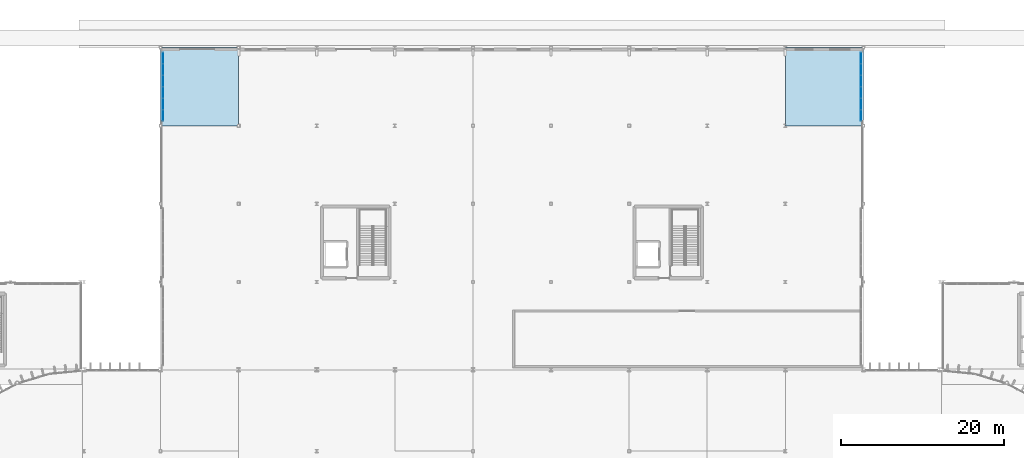
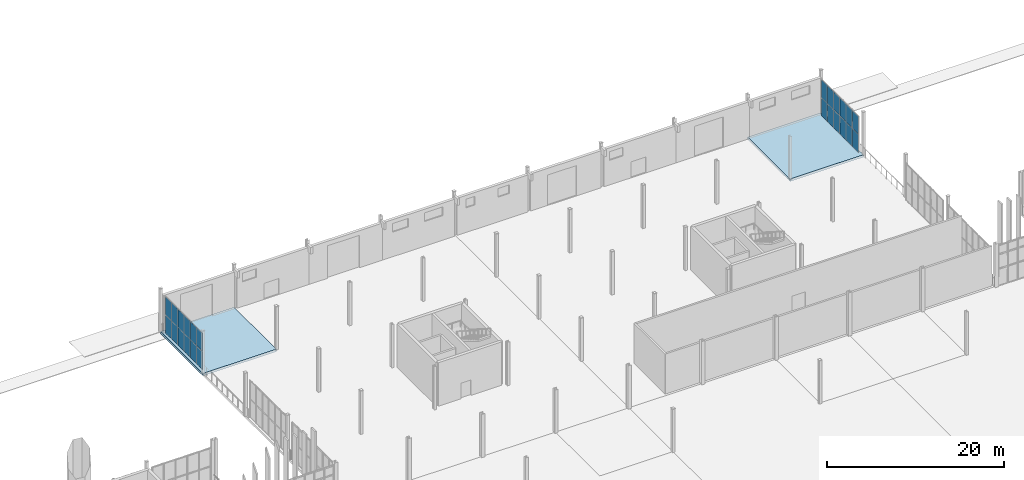
# One storey, part 88 of 139: 24 plates, 2 slabs, 2 elements without a shape of their own.
"""IFC4 building model written with IfcOpenShell, lengths in metres."""

import ifcopenshell
import ifcopenshell.guid

model = None  # the IFC model being written
_history = None  # IfcOwnerHistory: only IFC2X3 demands one
_inside = {}  # id of a spatial element -> (the spatial element, [elements in it])
_under = {}  # id of a project, library or spatial element -> (it, [spatial elements below it])
_declared = {}  # id of a project -> (the project, [libraries it declares])
_typed = {}  # id of a type object -> (the type object, [elements of that type])
_made_of = {}  # id of a material, layer set ... -> (it, [elements and type objects made of it])


def new_model(schema):
    """Start an empty IFC model of exactly this schema.

    Asked for "IFC4X3", IfcOpenShell would pick the latest addendum, in which some entities
    have other attributes; the version numbers below select the first issue.
    IFC2X3 requires an IfcOwnerHistory on every rooted entity: one is made here for all.
    """
    global model, _history
    if schema == "IFC4X3":
        model = ifcopenshell.file(schema_version=(4, 3, 0, 0))
    else:
        model = ifcopenshell.file(schema=schema)
    _inside.clear()
    _under.clear()
    _declared.clear()
    _typed.clear()
    _made_of.clear()
    _history = None
    if model.schema == "IFC2X3":
        org = make("IfcOrganization", Name="unknown")
        user = make(
            "IfcPersonAndOrganization",
            ThePerson=make("IfcPerson", FamilyName="unknown"),
            TheOrganization=org,
        )
        app = make(
            "IfcApplication",
            ApplicationDeveloper=org,
            Version="unknown",
            ApplicationFullName="unknown",
            ApplicationIdentifier="unknown",
        )
        _history = make(
            "IfcOwnerHistory",
            OwningUser=user,
            OwningApplication=app,
            ChangeAction="ADDED",
            CreationDate=0,
        )
    return model


def make(cls, **values):
    """One entity of the class cls with the attributes given. An attribute that is None is left unset."""
    return model.create_entity(
        cls, **{name: value for name, value in values.items() if value is not None}
    )


def rooted(cls, **values):
    """An entity with a GlobalId (a new one), such as an element, a storey or a relation."""
    return make(cls, GlobalId=ifcopenshell.guid.new(), OwnerHistory=_history, **values)


def si_unit(unit_type, name, prefix=None):
    """IfcSIUnit, for example si_unit("LENGTHUNIT", "METRE", prefix="MILLI")."""
    return make("IfcSIUnit", UnitType=unit_type, Prefix=prefix, Name=name)


def assignment(units):
    """IfcUnitAssignment: the units of a project."""
    return None if units is None else make("IfcUnitAssignment", Units=units)


def point(xyz):
    """IfcCartesianPoint."""
    return None if xyz is None else make("IfcCartesianPoint", Coordinates=xyz)


def direction(xyz):
    """IfcDirection."""
    return None if xyz is None else make("IfcDirection", DirectionRatios=xyz)


def frame(location, z_axis=None, x_axis=None):
    """IfcAxis2Placement3D, a coordinate frame: its origin and axes. An axis left out is left unset."""
    return make(
        "IfcAxis2Placement3D",
        Location=point(location),
        Axis=direction(z_axis),
        RefDirection=direction(x_axis),
    )


def frame_2d(location, x_axis=None):
    """IfcAxis2Placement2D, a coordinate frame in the plane: its origin and x axis."""
    return make(
        "IfcAxis2Placement2D", Location=point(location), RefDirection=direction(x_axis)
    )


def origin():
    """The frame at (0, 0, 0) with its axes left unset."""
    return frame((0.0, 0.0, 0.0))


def origin_2d():
    """The frame at (0, 0) in the plane with its x axis left unset."""
    return frame_2d((0.0, 0.0))


def place(relative_to, where):
    """IfcLocalPlacement: puts the frame where relative to a parent placement (None: the world)."""
    return make(
        "IfcLocalPlacement", PlacementRelTo=relative_to, RelativePlacement=where
    )


def context(
    kind, dimensions, precision=None, world=None, true_north=None, identifier=None
):
    """IfcGeometricRepresentationContext, for example the 3D "Model" context."""
    return make(
        "IfcGeometricRepresentationContext",
        ContextIdentifier=identifier,
        ContextType=kind,
        CoordinateSpaceDimension=dimensions,
        Precision=precision,
        WorldCoordinateSystem=world,
        TrueNorth=true_north,
    )


def subcontext(parent, identifier, kind, view, scale=None):
    """IfcGeometricRepresentationSubContext, for example "Body" below "Model"."""
    return make(
        "IfcGeometricRepresentationSubContext",
        ContextIdentifier=identifier,
        ContextType=kind,
        ParentContext=parent,
        TargetScale=scale,
        TargetView=view,
    )


def project(units=None, contexts=None):
    """IfcProject with its units and contexts."""
    return rooted(
        "IfcProject",
        Name="project",
        RepresentationContexts=contexts,
        UnitsInContext=assignment(units),
    )


def spatial(cls, under=None, at=None, **own):
    """A site, building, storey or space (cls), placed at a placement, below another one or the project."""
    s = rooted(cls, ObjectPlacement=at, **own)
    if under is not None:
        _under.setdefault(under.id(), (under, []))[1].append(s)
    return s


def polyline(points):
    """IfcPolyline through the points."""
    return make("IfcPolyline", Points=[point(p) for p in points])


def profile(cls, at=None, kind="AREA", **sizes):
    """A parametric profile (cls). Its sizes go by their IFC names, for example OverallWidth=200.0."""
    return make(cls, ProfileType=kind, Position=at, **sizes)


def rectangle(**sizes):
    """IfcRectangleProfileDef."""
    return profile("IfcRectangleProfileDef", **sizes)


def outline(outer, holes=None, kind="AREA"):
    """IfcArbitraryClosedProfileDef: a profile drawn as a closed curve; with holes, ...WithVoids."""
    if holes is None:
        return make("IfcArbitraryClosedProfileDef", ProfileType=kind, OuterCurve=outer)
    return make(
        "IfcArbitraryProfileDefWithVoids",
        ProfileType=kind,
        OuterCurve=outer,
        InnerCurves=holes,
    )


def extrude(swept, where, along, depth):
    """IfcExtrudedAreaSolid: the profile swept, set in the frame where, extruded along a direction by depth."""
    return make(
        "IfcExtrudedAreaSolid",
        SweptArea=swept,
        Position=where,
        ExtrudedDirection=direction(along),
        Depth=depth,
    )


def shape(context_of_items, identifier, shape_type, items):
    """IfcShapeRepresentation: the items that make up one representation, for example the "Body"."""
    return make(
        "IfcShapeRepresentation",
        ContextOfItems=context_of_items,
        RepresentationIdentifier=identifier,
        RepresentationType=shape_type,
        Items=items,
    )


def material(Name=None, Category=None):
    """IfcMaterial."""
    return make("IfcMaterial", Name=Name, Category=Category)


def layer(
    of_material, thickness, ventilated=None, Name=None, Category=None, Priority=None
):
    """IfcMaterialLayer: one layer of a wall or slab, of a material (None: an air gap)."""
    return make(
        "IfcMaterialLayer",
        Material=of_material,
        LayerThickness=thickness,
        IsVentilated=ventilated,
        Name=Name,
        Category=Category,
        Priority=Priority,
    )


def layer_set(layers, Name=None):
    """IfcMaterialLayerSet."""
    return make("IfcMaterialLayerSet", MaterialLayers=layers, LayerSetName=Name)


def made_of(thing, what):
    """Note that an element or type object is made of a material, layer set ...; save() writes the relation."""
    if what is not None:
        _made_of.setdefault(what.id(), (what, []))[1].append(thing)
    return thing


def type_object(cls, material=None, **own):
    """A type object (cls), such as IfcWallType, which elements share."""
    return made_of(rooted(cls, **own), material)


def element(
    cls,
    number,
    at=None,
    inside=None,
    cuts=None,
    type_object=None,
    material=None,
    context=None,
    identifier="Body",
    shape_type=None,
    held_by="IfcProductDefinitionShape",
    body=None,
    shapes=None,
    **own,
):
    """One element of the class cls, such as IfcWall. Its Tag is "e" and its number.

    at: its placement. inside: the storey or other place that contains it. cuts: it is an
    opening in that element (IfcRelVoidsElement). A single representation is given by context,
    identifier, shape_type and body (its items); several are given by shapes. held_by: the class
    of the entity that holds the representations. save() writes the other relations.
    """
    e = rooted(cls, Tag="e%d" % number, ObjectPlacement=at, **own)
    if body is not None:
        shapes = [shape(context, identifier, shape_type, body)]
    if shapes is not None:
        e.Representation = make(held_by, Representations=shapes)
    if inside is not None:
        _inside.setdefault(inside.id(), (inside, []))[1].append(e)
    if cuts is not None:
        rooted(
            "IfcRelVoidsElement", RelatingBuildingElement=cuts, RelatedOpeningElement=e
        )
    if type_object is not None:
        _typed.setdefault(type_object.id(), (type_object, []))[1].append(e)
    return made_of(e, material)


def aggregate(whole, parts):
    """IfcRelAggregates: a whole, such as a stair, and the parts it consists of."""
    return rooted("IfcRelAggregates", RelatingObject=whole, RelatedObjects=parts)


def save(model, path):
    """Write the relations noted so far, then the file.

    IfcRelAggregates (storeys below a building ...), IfcRelContainedInSpatialStructure (elements
    in a storey), IfcRelDefinesByType, IfcRelAssociatesMaterial and IfcRelDeclares: one each for
    every whole, place, type object, material and project.
    """
    for whole, parts in _under.values():
        aggregate(whole, parts)
    for where, things in _inside.values():
        rooted(
            "IfcRelContainedInSpatialStructure",
            RelatedElements=things,
            RelatingStructure=where,
        )
    for kind, things in _typed.values():
        rooted("IfcRelDefinesByType", RelatedObjects=things, RelatingType=kind)
    for what, things in _made_of.values():
        rooted("IfcRelAssociatesMaterial", RelatedObjects=things, RelatingMaterial=what)
    for by, libraries in _declared.values():
        rooted("IfcRelDeclares", RelatingContext=by, RelatedDefinitions=libraries)
    model.write(path)


model = new_model("IFC4")

# Units and contexts
model_context = context("Model", 3, precision=1e-05, world=origin(), true_north=direction((0.0, 1.0)))
body_context = subcontext(model_context, "Body", "Model", "MODEL_VIEW")
ifc_project = project(units=[si_unit("LENGTHUNIT", "METRE"), si_unit("AREAUNIT", "SQUARE_METRE"), si_unit("VOLUMEUNIT", "CUBIC_METRE"), si_unit("PLANEANGLEUNIT", "RADIAN"), si_unit("MASSUNIT", "GRAM", prefix="KILO")], contexts=[model_context])

# Site, building, storey
site_placement = place(None, origin())
site = spatial("IfcSite", under=ifc_project, at=site_placement, CompositionType="ELEMENT")
building_placement = place(site_placement, origin())
building = spatial("IfcBuilding", under=site, at=building_placement, Name="Yeouljin Market Hall", CompositionType="ELEMENT")
storey_placement = place(building_placement, origin())
storey = spatial("IfcBuildingStorey", under=building, at=storey_placement, Name="L00", CompositionType="ELEMENT", Elevation=0.0)

# Curtain wall, plates
ifc_material_1 = material(Name="Thermally Broken Aluminium", Category="aluminium")
ifc_layer_1 = layer(ifc_material_1, 0.14990234375)
ifc_layer_set_1 = layer_set([ifc_layer_1], Name="Thermally Broken Aluminium")
curtain_wall_type = type_object("IfcCurtainWallType", Name="CW_WingStorefront_System", PredefinedType="USERDEFINED", material=ifc_layer_set_1)
curtain_wall_1_placement = place(storey_placement, origin())
curtain_wall_1 = element("IfcCurtainWall", 1, at=curtain_wall_1_placement, inside=storey, type_object=curtain_wall_type, Name="Curtain wall CW-CRT-L00-17", ObjectType="CURTAIN WALL", PredefinedType="USERDEFINED")
ifc_material_2 = material(Name="Low-E Insulated Glass", Category="glass")
ifc_layer_2 = layer(ifc_material_2, 0.028076171875)
ifc_layer_set_2 = layer_set([ifc_layer_2], Name="Low-E Insulated Glass")
plate_type = type_object("IfcPlateType", Name="CWPanel_LowE_28", PredefinedType="CURTAIN_PANEL", material=ifc_layer_set_2)
plate_1_placement = place(storey_placement, frame((45.300048828125, 109.270263671875, 0.0478515625), z_axis=(0.0, 0.0, 1.0), x_axis=(0.0, 1.0, 0.0)))
plate_1 = element("IfcPlate", 2, at=plate_1_placement, type_object=plate_type, Name="CW-04 panel 1.1", PredefinedType="CURTAIN_PANEL", context=body_context, shape_type="SweptSolid", body=[
    extrude(rectangle(XDim=1.3447265625, YDim=0.028076171875, at=origin_2d()), origin(), (0.0, 0.0, 1.0), 2.488037109375),
])
plate_2_placement = place(storey_placement, frame((45.300048828125, 109.270263671875, 2.583984375), z_axis=(0.0, 0.0, 1.0), x_axis=(0.0, 1.0, 0.0)))
plate_2 = element("IfcPlate", 3, at=plate_2_placement, type_object=plate_type, Name="CW-04 panel 1.2", PredefinedType="CURTAIN_PANEL", context=body_context, shape_type="SweptSolid", body=[
    extrude(rectangle(XDim=1.3447265625, YDim=0.028076171875, at=origin_2d()), origin(), (0.0, 0.0, 1.0), 2.488037109375),
])
plate_3_placement = place(storey_placement, frame((45.300048828125, 110.675048828125, 0.0478515625), z_axis=(0.0, 0.0, 1.0), x_axis=(0.0, 1.0, 0.0)))
plate_3 = element("IfcPlate", 4, at=plate_3_placement, type_object=plate_type, Name="CW-04 panel 2.1", PredefinedType="CURTAIN_PANEL", context=body_context, shape_type="SweptSolid", body=[
    extrude(rectangle(XDim=1.36865234375, YDim=0.028076171875, at=origin_2d()), origin(), (0.0, 0.0, 1.0), 2.488037109375),
])
plate_4_placement = place(storey_placement, frame((45.300048828125, 110.675048828125, 2.583984375), z_axis=(0.0, 0.0, 1.0), x_axis=(0.0, 1.0, 0.0)))
plate_4 = element("IfcPlate", 5, at=plate_4_placement, type_object=plate_type, Name="CW-04 panel 2.2", PredefinedType="CURTAIN_PANEL", context=body_context, shape_type="SweptSolid", body=[
    extrude(rectangle(XDim=1.36865234375, YDim=0.028076171875, at=origin_2d()), origin(), (0.0, 0.0, 1.0), 2.488037109375),
])
plate_5_placement = place(storey_placement, frame((45.300048828125, 112.091552734375, 0.0478515625), z_axis=(0.0, 0.0, 1.0), x_axis=(0.0, 1.0, 0.0)))
plate_5 = element("IfcPlate", 6, at=plate_5_placement, type_object=plate_type, Name="CW-04 panel 3.1", PredefinedType="CURTAIN_PANEL", context=body_context, shape_type="SweptSolid", body=[
    extrude(rectangle(XDim=1.36865234375, YDim=0.028076171875, at=origin_2d()), origin(), (0.0, 0.0, 1.0), 2.488037109375),
])
plate_6_placement = place(storey_placement, frame((45.300048828125, 112.091552734375, 2.583984375), z_axis=(0.0, 0.0, 1.0), x_axis=(0.0, 1.0, 0.0)))
plate_6 = element("IfcPlate", 7, at=plate_6_placement, type_object=plate_type, Name="CW-04 panel 3.2", PredefinedType="CURTAIN_PANEL", context=body_context, shape_type="SweptSolid", body=[
    extrude(rectangle(XDim=1.36865234375, YDim=0.028076171875, at=origin_2d()), origin(), (0.0, 0.0, 1.0), 2.488037109375),
])
plate_7_placement = place(storey_placement, frame((45.300048828125, 113.50830078125, 0.0478515625), z_axis=(0.0, 0.0, 1.0), x_axis=(0.0, 1.0, 0.0)))
plate_7 = element("IfcPlate", 8, at=plate_7_placement, type_object=plate_type, Name="CW-04 panel 4.1", PredefinedType="CURTAIN_PANEL", context=body_context, shape_type="SweptSolid", body=[
    extrude(rectangle(XDim=1.36865234375, YDim=0.028076171875, at=origin_2d()), origin(), (0.0, 0.0, 1.0), 2.488037109375),
])
plate_8_placement = place(storey_placement, frame((45.300048828125, 113.50830078125, 2.583984375), z_axis=(0.0, 0.0, 1.0), x_axis=(0.0, 1.0, 0.0)))
plate_8 = element("IfcPlate", 9, at=plate_8_placement, type_object=plate_type, Name="CW-04 panel 4.2", PredefinedType="CURTAIN_PANEL", context=body_context, shape_type="SweptSolid", body=[
    extrude(rectangle(XDim=1.36865234375, YDim=0.028076171875, at=origin_2d()), origin(), (0.0, 0.0, 1.0), 2.488037109375),
])
plate_9_placement = place(storey_placement, frame((45.300048828125, 114.925048828125, 0.0478515625), z_axis=(0.0, 0.0, 1.0), x_axis=(0.0, 1.0, 0.0)))
plate_9 = element("IfcPlate", 10, at=plate_9_placement, type_object=plate_type, Name="CW-04 panel 5.1", PredefinedType="CURTAIN_PANEL", context=body_context, shape_type="SweptSolid", body=[
    extrude(rectangle(XDim=1.36865234375, YDim=0.028076171875, at=origin_2d()), origin(), (0.0, 0.0, 1.0), 2.488037109375),
])
plate_10_placement = place(storey_placement, frame((45.300048828125, 114.925048828125, 2.583984375), z_axis=(0.0, 0.0, 1.0), x_axis=(0.0, 1.0, 0.0)))
plate_10 = element("IfcPlate", 11, at=plate_10_placement, type_object=plate_type, Name="CW-04 panel 5.2", PredefinedType="CURTAIN_PANEL", context=body_context, shape_type="SweptSolid", body=[
    extrude(rectangle(XDim=1.36865234375, YDim=0.028076171875, at=origin_2d()), origin(), (0.0, 0.0, 1.0), 2.488037109375),
])
plate_11_placement = place(storey_placement, frame((45.300048828125, 116.32958984375, 0.0478515625), z_axis=(0.0, 0.0, 1.0), x_axis=(0.0, 1.0, 0.0)))
plate_11 = element("IfcPlate", 12, at=plate_11_placement, type_object=plate_type, Name="CW-04 panel 6.1", PredefinedType="CURTAIN_PANEL", context=body_context, shape_type="SweptSolid", body=[
    extrude(rectangle(XDim=1.3447265625, YDim=0.028076171875, at=origin_2d()), origin(), (0.0, 0.0, 1.0), 2.488037109375),
])
plate_12_placement = place(storey_placement, frame((45.300048828125, 116.32958984375, 2.583984375), z_axis=(0.0, 0.0, 1.0), x_axis=(0.0, 1.0, 0.0)))
plate_12 = element("IfcPlate", 13, at=plate_12_placement, type_object=plate_type, Name="CW-04 panel 6.2", PredefinedType="CURTAIN_PANEL", context=body_context, shape_type="SweptSolid", body=[
    extrude(rectangle(XDim=1.3447265625, YDim=0.028076171875, at=origin_2d()), origin(), (0.0, 0.0, 1.0), 2.488037109375),
])
aggregate(curtain_wall_1, [plate_1, plate_2, plate_3, plate_4, plate_5, plate_6, plate_7, plate_8, plate_9, plate_10, plate_11, plate_12])

curtain_wall_2_placement = place(storey_placement, origin())
curtain_wall_2 = element("IfcCurtainWall", 14, at=curtain_wall_2_placement, inside=storey, type_object=curtain_wall_type, Name="Curtain wall CW-CRT-L00-18", ObjectType="CURTAIN WALL", PredefinedType="USERDEFINED")
plate_13_placement = place(storey_placement, frame((131.10009765625, 116.32958984375, 0.0478515625), z_axis=(0.0, 0.0, 1.0), x_axis=(0.0, -1.0, 0.0)))
plate_13 = element("IfcPlate", 15, at=plate_13_placement, type_object=plate_type, Name="CW-04 panel 1.1", PredefinedType="CURTAIN_PANEL", context=body_context, shape_type="SweptSolid", body=[
    extrude(rectangle(XDim=1.3447265625, YDim=0.028076171875, at=origin_2d()), origin(), (0.0, 0.0, 1.0), 2.488037109375),
])
plate_14_placement = place(storey_placement, frame((131.10009765625, 116.32958984375, 2.583984375), z_axis=(0.0, 0.0, 1.0), x_axis=(0.0, -1.0, 0.0)))
plate_14 = element("IfcPlate", 16, at=plate_14_placement, type_object=plate_type, Name="CW-04 panel 1.2", PredefinedType="CURTAIN_PANEL", context=body_context, shape_type="SweptSolid", body=[
    extrude(rectangle(XDim=1.3447265625, YDim=0.028076171875, at=origin_2d()), origin(), (0.0, 0.0, 1.0), 2.488037109375),
])
plate_15_placement = place(storey_placement, frame((131.10009765625, 114.925048828125, 0.0478515625), z_axis=(0.0, 0.0, 1.0), x_axis=(0.0, -1.0, 0.0)))
plate_15 = element("IfcPlate", 17, at=plate_15_placement, type_object=plate_type, Name="CW-04 panel 2.1", PredefinedType="CURTAIN_PANEL", context=body_context, shape_type="SweptSolid", body=[
    extrude(rectangle(XDim=1.36865234375, YDim=0.028076171875, at=origin_2d()), origin(), (0.0, 0.0, 1.0), 2.488037109375),
])
plate_16_placement = place(storey_placement, frame((131.10009765625, 114.925048828125, 2.583984375), z_axis=(0.0, 0.0, 1.0), x_axis=(0.0, -1.0, 0.0)))
plate_16 = element("IfcPlate", 18, at=plate_16_placement, type_object=plate_type, Name="CW-04 panel 2.2", PredefinedType="CURTAIN_PANEL", context=body_context, shape_type="SweptSolid", body=[
    extrude(rectangle(XDim=1.36865234375, YDim=0.028076171875, at=origin_2d()), origin(), (0.0, 0.0, 1.0), 2.488037109375),
])
plate_17_placement = place(storey_placement, frame((131.10009765625, 113.50830078125, 0.0478515625), z_axis=(0.0, 0.0, 1.0), x_axis=(0.0, -1.0, 0.0)))
plate_17 = element("IfcPlate", 19, at=plate_17_placement, type_object=plate_type, Name="CW-04 panel 3.1", PredefinedType="CURTAIN_PANEL", context=body_context, shape_type="SweptSolid", body=[
    extrude(rectangle(XDim=1.36865234375, YDim=0.028076171875, at=origin_2d()), origin(), (0.0, 0.0, 1.0), 2.488037109375),
])
plate_18_placement = place(storey_placement, frame((131.10009765625, 113.50830078125, 2.583984375), z_axis=(0.0, 0.0, 1.0), x_axis=(0.0, -1.0, 0.0)))
plate_18 = element("IfcPlate", 20, at=plate_18_placement, type_object=plate_type, Name="CW-04 panel 3.2", PredefinedType="CURTAIN_PANEL", context=body_context, shape_type="SweptSolid", body=[
    extrude(rectangle(XDim=1.36865234375, YDim=0.028076171875, at=origin_2d()), origin(), (0.0, 0.0, 1.0), 2.488037109375),
])
plate_19_placement = place(storey_placement, frame((131.10009765625, 112.091552734375, 0.0478515625), z_axis=(0.0, 0.0, 1.0), x_axis=(0.0, -1.0, 0.0)))
plate_19 = element("IfcPlate", 21, at=plate_19_placement, type_object=plate_type, Name="CW-04 panel 4.1", PredefinedType="CURTAIN_PANEL", context=body_context, shape_type="SweptSolid", body=[
    extrude(rectangle(XDim=1.36865234375, YDim=0.028076171875, at=origin_2d()), origin(), (0.0, 0.0, 1.0), 2.488037109375),
])
plate_20_placement = place(storey_placement, frame((131.10009765625, 112.091552734375, 2.583984375), z_axis=(0.0, 0.0, 1.0), x_axis=(0.0, -1.0, 0.0)))
plate_20 = element("IfcPlate", 22, at=plate_20_placement, type_object=plate_type, Name="CW-04 panel 4.2", PredefinedType="CURTAIN_PANEL", context=body_context, shape_type="SweptSolid", body=[
    extrude(rectangle(XDim=1.36865234375, YDim=0.028076171875, at=origin_2d()), origin(), (0.0, 0.0, 1.0), 2.488037109375),
])
plate_21_placement = place(storey_placement, frame((131.10009765625, 110.675048828125, 0.0478515625), z_axis=(0.0, 0.0, 1.0), x_axis=(0.0, -1.0, 0.0)))
plate_21 = element("IfcPlate", 23, at=plate_21_placement, type_object=plate_type, Name="CW-04 panel 5.1", PredefinedType="CURTAIN_PANEL", context=body_context, shape_type="SweptSolid", body=[
    extrude(rectangle(XDim=1.36865234375, YDim=0.028076171875, at=origin_2d()), origin(), (0.0, 0.0, 1.0), 2.488037109375),
])
plate_22_placement = place(storey_placement, frame((131.10009765625, 110.675048828125, 2.583984375), z_axis=(0.0, 0.0, 1.0), x_axis=(0.0, -1.0, 0.0)))
plate_22 = element("IfcPlate", 24, at=plate_22_placement, type_object=plate_type, Name="CW-04 panel 5.2", PredefinedType="CURTAIN_PANEL", context=body_context, shape_type="SweptSolid", body=[
    extrude(rectangle(XDim=1.36865234375, YDim=0.028076171875, at=origin_2d()), origin(), (0.0, 0.0, 1.0), 2.488037109375),
])
plate_23_placement = place(storey_placement, frame((131.10009765625, 109.270263671875, 0.0478515625), z_axis=(0.0, 0.0, 1.0), x_axis=(0.0, -1.0, 0.0)))
plate_23 = element("IfcPlate", 25, at=plate_23_placement, type_object=plate_type, Name="CW-04 panel 6.1", PredefinedType="CURTAIN_PANEL", context=body_context, shape_type="SweptSolid", body=[
    extrude(rectangle(XDim=1.3447265625, YDim=0.028076171875, at=origin_2d()), origin(), (0.0, 0.0, 1.0), 2.488037109375),
])
plate_24_placement = place(storey_placement, frame((131.10009765625, 109.270263671875, 2.583984375), z_axis=(0.0, 0.0, 1.0), x_axis=(0.0, -1.0, 0.0)))
plate_24 = element("IfcPlate", 26, at=plate_24_placement, type_object=plate_type, Name="CW-04 panel 6.2", PredefinedType="CURTAIN_PANEL", context=body_context, shape_type="SweptSolid", body=[
    extrude(rectangle(XDim=1.3447265625, YDim=0.028076171875, at=origin_2d()), origin(), (0.0, 0.0, 1.0), 2.488037109375),
])
aggregate(curtain_wall_2, [plate_13, plate_14, plate_15, plate_16, plate_17, plate_18, plate_19, plate_20, plate_21, plate_22, plate_23, plate_24])

# Slabs
ifc_material_3 = material(Name="Concrete C35/45", Category="concrete")
ifc_layer_3 = layer(ifc_material_3, 0.340087890625)
ifc_layer_set_3 = layer_set([ifc_layer_3], Name="Concrete C35/45")
slab_type = type_object("IfcSlabType", Name="SLB_DOCK_340", PredefinedType="FLOOR", material=ifc_layer_set_3)
slab_1_placement = place(storey_placement, frame((0.0, 0.0, -0.340087890625)))
element("IfcSlab", 27, at=slab_1_placement, inside=storey, type_object=slab_type, Name="Structural slab SLB-L00-N1B", PredefinedType="FLOOR", context=body_context, shape_type="SweptSolid", body=[
    extrude(outline(polyline([(45.0, 108.0), (54.60009765625, 108.0), (54.60009765625, 117.60009765625), (45.0, 117.60009765625), (45.0, 108.0)])), origin(), (0.0, 0.0, 1.0), 0.340087890625),
])
slab_2_placement = place(storey_placement, frame((0.0, 0.0, -0.340087890625)))
element("IfcSlab", 28, at=slab_2_placement, inside=storey, type_object=slab_type, Name="Structural slab SLB-L00-N2B", PredefinedType="FLOOR", context=body_context, shape_type="SweptSolid", body=[
    extrude(outline(polyline([(121.800048828125, 108.0), (131.39990234375, 108.0), (131.39990234375, 117.60009765625), (121.800048828125, 117.60009765625), (121.800048828125, 108.0)])), origin(), (0.0, 0.0, 1.0), 0.340087890625),
])

save(model, "model.ifc")
